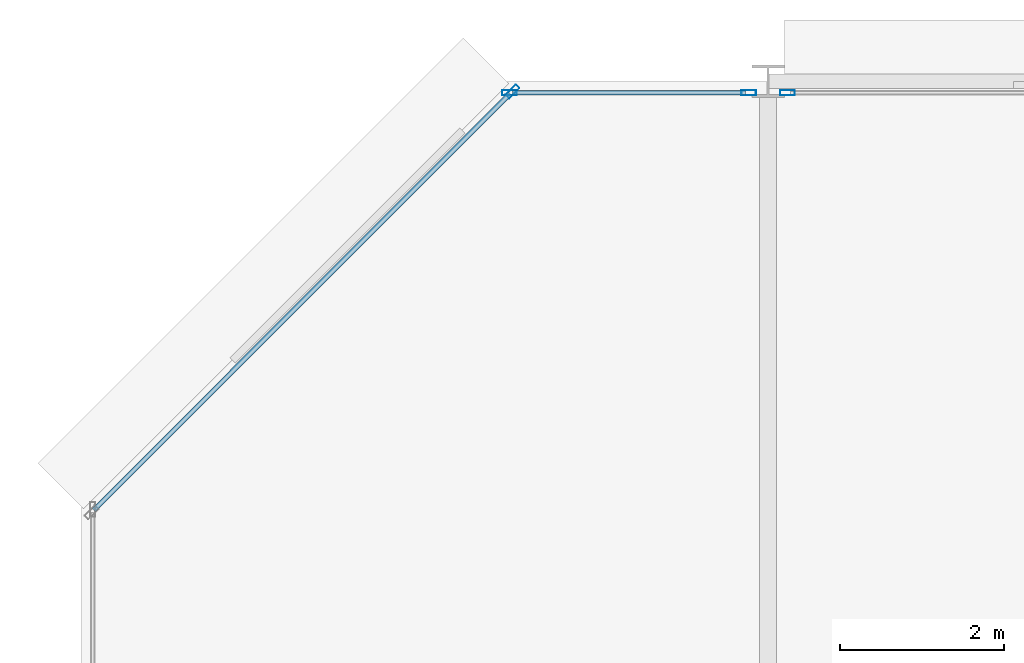
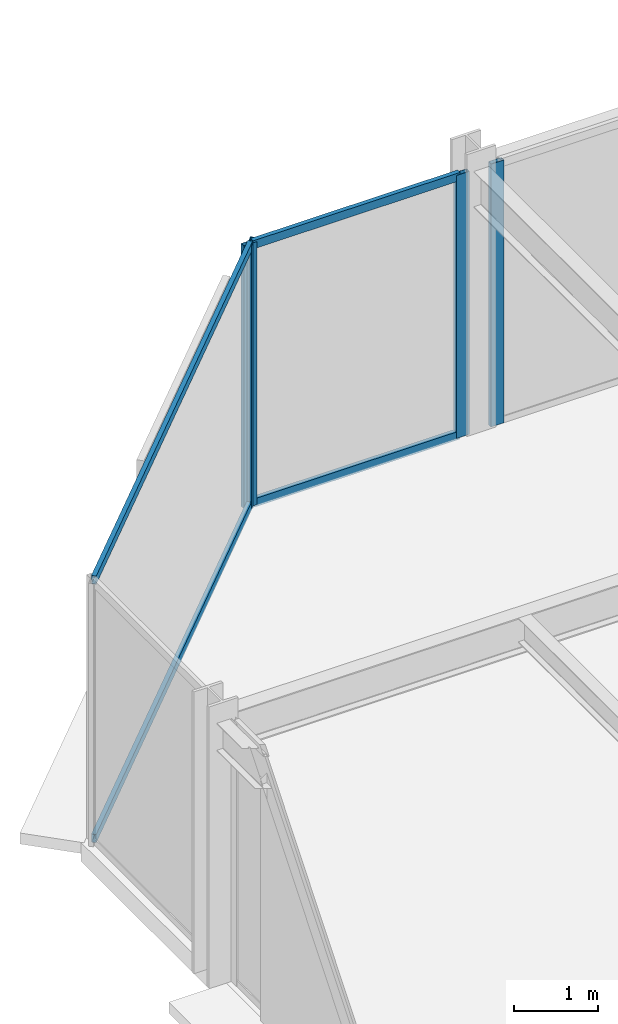
# One storey, part 21 of 30: 8 members, 3 elements without a shape of their own.
"""IFC4 building model written with IfcOpenShell, lengths in metres."""

from ifc_helpers import new_model, si_unit, direction, frame, origin, origin_2d, place, context, subcontext, project, spatial, hollow_rectangle, extrude, material, layer, layer_set, material_profile, profile_set, type_object, element, aggregate, save


model = new_model("IFC4")

# Units and contexts
model_context = context("Model", 3, precision=1e-05, world=origin(), true_north=direction((0.0, 1.0)))
body_context = subcontext(model_context, "Body", "Model", "MODEL_VIEW")
ifc_project = project(units=[si_unit("LENGTHUNIT", "METRE"), si_unit("AREAUNIT", "SQUARE_METRE"), si_unit("VOLUMEUNIT", "CUBIC_METRE"), si_unit("PLANEANGLEUNIT", "RADIAN"), si_unit("MASSUNIT", "GRAM", prefix="KILO")], contexts=[model_context])

# Site, building, storey
site_placement = place(None, origin())
site = spatial("IfcSite", under=ifc_project, at=site_placement, CompositionType="ELEMENT")
building_placement = place(site_placement, origin())
building = spatial("IfcBuilding", under=site, at=building_placement, Name="Nerrivon Quay Data Exchange", CompositionType="ELEMENT")
storey_placement = place(building_placement, frame((0.0, 0.0, 141.800048828125)))
storey = spatial("IfcBuildingStorey", under=building, at=storey_placement, Name="L33", CompositionType="ELEMENT", Elevation=141.800048828125)

# Curtain wall, member
ifc_material = material(Name="Anodised aluminium 6063-T6", Category="aluminium")
ifc_layer = layer(ifc_material, 0.2099609375)
ifc_layer_set = layer_set([ifc_layer], Name="Anodised aluminium 6063-T6")
curtain_wall_type = type_object("IfcCurtainWallType", Name="CW-SYS-02", PredefinedType="NOTDEFINED", material=ifc_layer_set)
curtain_wall_1_placement = place(storey_placement, origin())
curtain_wall_1 = element("IfcCurtainWall", 1, at=curtain_wall_1_placement, inside=storey, type_object=curtain_wall_type, Name="L33 Unitised Curtain Wall 17", PredefinedType="NOTDEFINED")
ifc_material_profile_1 = material_profile(ifc_material, hollow_rectangle(XDim=0.06494140625, YDim=0.179931640625, WallThickness=0.00341796875, at=origin_2d()), Name="ALU-MULL-180x65")
ifc_profile_set_1 = profile_set([ifc_material_profile_1], Name="Anodised aluminium 6063-T6")
member_type_1 = type_object("IfcMemberType", Name="CWM-180x65", PredefinedType="MULLION", material=ifc_profile_set_1)
member_1_placement = place(storey_placement, frame((5.2724609375, 50.2744140625, 0.0), z_axis=(0.0, 0.0, 1.0), x_axis=(-0.707106781187, 0.707106781187, 0.0)))
member_1 = element("IfcMember", 2, at=member_1_placement, type_object=member_type_1, Name="CW02 mullion 2", PredefinedType="MULLION", context=body_context, shape_type="SweptSolid", body=[
    extrude(hollow_rectangle(XDim=0.06494140625, YDim=0.179931640625, WallThickness=0.00341796875, at=origin_2d()), origin(), (0.0, 0.0, 1.0), 3.824951171875),
])

# Curtain wall, members
curtain_wall_2_placement = place(storey_placement, origin())
curtain_wall_2 = element("IfcCurtainWall", 3, at=curtain_wall_2_placement, inside=storey, type_object=curtain_wall_type, Name="L33 Unitised Curtain Wall 18", PredefinedType="NOTDEFINED")
member_2_placement = place(storey_placement, frame((5.237548828125, 50.260009765625, 0.0), z_axis=(0.0, 0.0, 1.0), x_axis=(0.0, 1.0, 0.0)))
member_2 = element("IfcMember", 4, at=member_2_placement, type_object=member_type_1, Name="CW02 mullion 1", PredefinedType="MULLION", context=body_context, shape_type="SweptSolid", body=[
    extrude(hollow_rectangle(XDim=0.06494140625, YDim=0.179931640625, WallThickness=0.00341796875, at=origin_2d()), origin(), (0.0, 0.0, 1.0), 3.824951171875),
])
member_3_placement = place(storey_placement, frame((8.16259765625, 50.260009765625, 0.0), z_axis=(0.0, 0.0, 1.0), x_axis=(0.0, 1.0, 0.0)))
member_3 = element("IfcMember", 5, at=member_3_placement, type_object=member_type_1, Name="CW02 mullion 2", PredefinedType="MULLION", context=body_context, shape_type="SweptSolid", body=[
    extrude(hollow_rectangle(XDim=0.06494140625, YDim=0.179931640625, WallThickness=0.00341796875, at=origin_2d()), origin(), (0.0, 0.0, 1.0), 3.824951171875),
])

# Curtain wall, member
curtain_wall_3_placement = place(storey_placement, origin())
curtain_wall_3 = element("IfcCurtainWall", 6, at=curtain_wall_3_placement, inside=storey, type_object=curtain_wall_type, Name="L33 Unitised Curtain Wall 19", PredefinedType="NOTDEFINED")
member_4_placement = place(storey_placement, frame((8.637451171875, 50.260009765625, 0.0), z_axis=(0.0, 0.0, 1.0), x_axis=(0.0, 1.0, 0.0)))
member_4 = element("IfcMember", 7, at=member_4_placement, type_object=member_type_1, Name="CW02 mullion 1", PredefinedType="MULLION", context=body_context, shape_type="SweptSolid", body=[
    extrude(hollow_rectangle(XDim=0.06494140625, YDim=0.179931640625, WallThickness=0.00341796875, at=origin_2d()), origin(), (0.0, 0.0, 1.0), 3.824951171875),
])
aggregate(curtain_wall_3, [member_4])

# Member
ifc_material_profile_2 = material_profile(ifc_material, hollow_rectangle(XDim=0.06005859375, YDim=0.1201171875, WallThickness=0.003173828125, at=origin_2d()), Name="ALU-TRAN-120x60")
ifc_profile_set_2 = profile_set([ifc_material_profile_2], Name="Anodised aluminium 6063-T6")
member_type_2 = type_object("IfcMemberType", Name="CWT-120x60", PredefinedType="USERDEFINED", material=ifc_profile_set_2)
member_5_placement = place(storey_placement, frame((0.152099609375, 45.154052734375, 0.032470703125), z_axis=(0.707089835771, 0.707123726196, 0.0), x_axis=(-0.707123726196, 0.707089835771, 0.0)))
member_5 = element("IfcMember", 8, at=member_5_placement, type_object=member_type_2, Name="CW02 transom 1.1", ObjectType="TRANSOM", PredefinedType="USERDEFINED", context=body_context, shape_type="SweptSolid", body=[
    extrude(hollow_rectangle(XDim=0.06005859375, YDim=0.1201171875, WallThickness=0.003173828125, at=origin_2d()), origin(), (0.0, 0.0, 1.0), 7.203857421875),
])

member_6_placement = place(storey_placement, frame((0.152099609375, 45.154052734375, 3.79248046875), z_axis=(0.707089835771, 0.707123726196, 0.0), x_axis=(-0.707123726196, 0.707089835771, 0.0)))
member_6 = element("IfcMember", 9, at=member_6_placement, type_object=member_type_2, Name="CW02 transom 1.2", ObjectType="TRANSOM", PredefinedType="USERDEFINED", context=body_context, shape_type="SweptSolid", body=[
    extrude(hollow_rectangle(XDim=0.06005859375, YDim=0.1201171875, WallThickness=0.003173828125, at=origin_2d()), origin(), (0.0, 0.0, 1.0), 7.203857421875),
])

aggregate(curtain_wall_1, [member_1, member_5, member_6])

member_7_placement = place(storey_placement, frame((5.27490234375, 50.260009765625, 0.032470703125), z_axis=(1.0, 0.0, 0.0), x_axis=(0.0, 1.0, 0.0)))
member_7 = element("IfcMember", 10, at=member_7_placement, type_object=member_type_2, Name="CW02 transom 1.1", ObjectType="TRANSOM", PredefinedType="USERDEFINED", context=body_context, shape_type="SweptSolid", body=[
    extrude(hollow_rectangle(XDim=0.06005859375, YDim=0.1201171875, WallThickness=0.003173828125, at=origin_2d()), origin(), (0.0, 0.0, 1.0), 2.85009765625),
])

member_8_placement = place(storey_placement, frame((5.27490234375, 50.260009765625, 3.79248046875), z_axis=(1.0, 0.0, 0.0), x_axis=(0.0, 1.0, 0.0)))
member_8 = element("IfcMember", 11, at=member_8_placement, type_object=member_type_2, Name="CW02 transom 1.2", ObjectType="TRANSOM", PredefinedType="USERDEFINED", context=body_context, shape_type="SweptSolid", body=[
    extrude(hollow_rectangle(XDim=0.06005859375, YDim=0.1201171875, WallThickness=0.003173828125, at=origin_2d()), origin(), (0.0, 0.0, 1.0), 2.85009765625),
])

aggregate(curtain_wall_2, [member_2, member_3, member_7, member_8])

save(model, "model.ifc")
